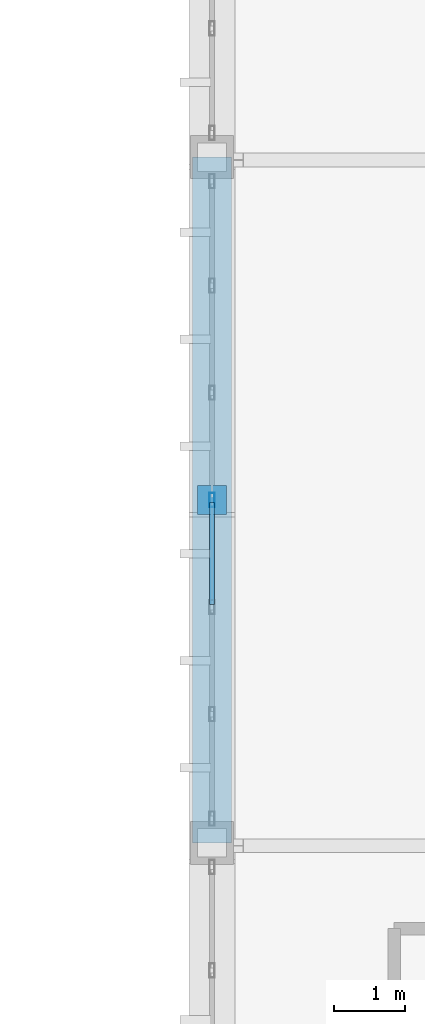
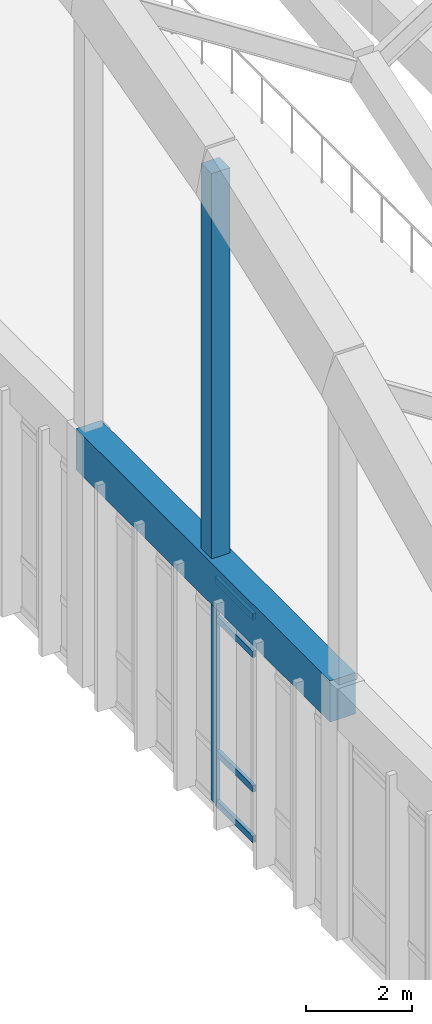
# One storey, part 34 of 236: 6 members, 1 beam, 1 element without a shape of its own.
"""IFC4 building model written with IfcOpenShell, lengths in metres."""

from ifc_helpers import new_model, si_unit, direction, frame, origin, origin_2d, place, context, subcontext, project, spatial, rectangle, hollow_rectangle, extrude, material, layer, layer_set, material_profile, profile_set, type_object, element, aggregate, save


model = new_model("IFC4")

# Units and contexts
model_context = context("Model", 3, precision=1e-05, world=origin(), true_north=direction((0.0, 1.0)))
body_context = subcontext(model_context, "Body", "Model", "MODEL_VIEW")
ifc_project = project(units=[si_unit("LENGTHUNIT", "METRE"), si_unit("AREAUNIT", "SQUARE_METRE"), si_unit("VOLUMEUNIT", "CUBIC_METRE"), si_unit("PLANEANGLEUNIT", "RADIAN"), si_unit("MASSUNIT", "GRAM", prefix="KILO")], contexts=[model_context])

# Site, building, storey
site_placement = place(None, origin())
site = spatial("IfcSite", under=ifc_project, at=site_placement, CompositionType="ELEMENT")
building_placement = place(site_placement, origin())
building = spatial("IfcBuilding", under=site, at=building_placement, Name="Pandanus Reach Market Hall", CompositionType="ELEMENT")
storey_placement = place(building_placement, frame((0.0, 0.0, 5.39990234375)))
storey = spatial("IfcBuildingStorey", under=building, at=storey_placement, Name="L01", CompositionType="ELEMENT", Elevation=5.39990234375)

# Member
ifc_material_1 = material(Name="Concrete N50 (50 MPa)", Category="concrete")
ifc_material_profile_1 = material_profile(ifc_material_1, rectangle(XDim=0.39990234375, YDim=0.39990234375, at=origin_2d()), Name="RC400x400", Category="LoadBearing")
ifc_profile_set_1 = profile_set([ifc_material_profile_1], Name="Concrete N50 (50 MPa)")
member_type_1 = type_object("IfcMemberType", Name="AR-WEB400-E", PredefinedType="STRUT", material=ifc_profile_set_1)
member_1_placement = place(storey_placement, frame((48.0, 43.199951171875, 5.3251953125), z_axis=(0.0, 0.0, 1.0), x_axis=(1.0, 0.0, 0.0)))
element("IfcMember", 1, at=member_1_placement, inside=storey, type_object=member_type_1, Name="Arch truss vertical web strut A1.3", PredefinedType="STRUT", context=body_context, shape_type="SweptSolid", body=[
    extrude(rectangle(XDim=0.39990234375, YDim=0.39990234375, at=origin_2d()), origin(), (0.0, 0.0, 1.0), 9.35498046875),
])

# Beam
ifc_material_profile_2 = material_profile(ifc_material_1, rectangle(XDim=0.550048828125, YDim=0.949951171875, at=origin_2d()), Name="RC550x950", Category="LoadBearing")
ifc_profile_set_2 = profile_set([ifc_material_profile_2], Name="Concrete N50 (50 MPa)")
beam_type = type_object("IfcBeamType", Name="BM-RC550-E", PredefinedType="BEAM", material=ifc_profile_set_2)
beam_placement = place(storey_placement, frame((48.0, 38.39990234375, 5.3251953125), z_axis=(0.0, 1.0, 0.0), x_axis=(-1.0, 0.0, 0.0)))
element("IfcBeam", 2, at=beam_placement, inside=storey, type_object=beam_type, Name="Parabolic arch tie girder A1.2", PredefinedType="BEAM", context=body_context, shape_type="SweptSolid", body=[
    extrude(rectangle(XDim=0.550048828125, YDim=0.949951171875, at=origin_2d()), origin(), (0.0, 0.0, 1.0), 9.60009765625),
])

# Curtain wall, members
ifc_material_2 = material(Name="Bronze anodised aluminium and low-E glass", Category="aluminium")
ifc_layer = layer(ifc_material_2, 0.199951171875, Name="CW-05")
ifc_layer_set = layer_set([ifc_layer], Name="Bronze anodised aluminium and low-E glass")
curtain_wall_type = type_object("IfcCurtainWallType", Name="CW-05", PredefinedType="NOTDEFINED", material=ifc_layer_set)
curtain_wall_placement = place(storey_placement, origin())
curtain_wall = element("IfcCurtainWall", 3, at=curtain_wall_placement, inside=storey, type_object=curtain_wall_type, Name="Glazed curtain wall CW-05 CW-0022", PredefinedType="NOTDEFINED")
ifc_material_3 = material(Name="Bronze anodised aluminium", Category="aluminium")
ifc_material_profile_3 = material_profile(ifc_material_3, hollow_rectangle(XDim=0.074951171875, YDim=0.199951171875, WallThickness=0.00439453125, at=origin_2d()), Name="ALU75x200", Category="LoadBearing")
ifc_profile_set_3 = profile_set([ifc_material_profile_3], Name="Bronze anodised aluminium")
member_type_2 = type_object("IfcMemberType", Name="CW-M2", PredefinedType="MULLION", material=ifc_profile_set_3)
member_2_placement = place(storey_placement, frame((48.0, 43.199951171875, 0.0), z_axis=(0.0, 0.0, 1.0), x_axis=(-1.0, 0.0, 0.0)))
member_2 = element("IfcMember", 4, at=member_2_placement, type_object=member_type_2, Name="CW-05 mullion 4", PredefinedType="MULLION", context=body_context, shape_type="SweptSolid", body=[
    extrude(hollow_rectangle(XDim=0.074951171875, YDim=0.199951171875, WallThickness=0.00439453125, at=origin_2d()), origin(), (0.0, 0.0, 1.0), 5.2001953125),
])
ifc_material_profile_4 = material_profile(ifc_material_3, hollow_rectangle(XDim=0.074951171875, YDim=0.14990234375, WallThickness=0.00439453125, at=origin_2d()), Name="ALU75x150", Category="LoadBearing")
ifc_profile_set_4 = profile_set([ifc_material_profile_4], Name="Bronze anodised aluminium")
member_type_3 = type_object("IfcMemberType", Name="CW-T2", PredefinedType="USERDEFINED", material=ifc_profile_set_4)
member_3_placement = place(storey_placement, frame((48.0, 41.737548828125, 0.03759765625), z_axis=(0.0, 1.0, 0.0), x_axis=(-1.0, 0.0, 0.0)))
member_3 = element("IfcMember", 5, at=member_3_placement, type_object=member_type_3, Name="CW-05 transom 3.1", ObjectType="TRANSOM", PredefinedType="USERDEFINED", context=body_context, shape_type="SweptSolid", body=[
    extrude(hollow_rectangle(XDim=0.074951171875, YDim=0.14990234375, WallThickness=0.00439453125, at=origin_2d()), origin(), (0.0, 0.0, 1.0), 1.425048828125),
])
member_4_placement = place(storey_placement, frame((48.0, 41.737548828125, 1.2001953125), z_axis=(0.0, 1.0, 0.0), x_axis=(-1.0, 0.0, 0.0)))
member_4 = element("IfcMember", 6, at=member_4_placement, type_object=member_type_3, Name="CW-05 transom 3.2", ObjectType="TRANSOM", PredefinedType="USERDEFINED", context=body_context, shape_type="SweptSolid", body=[
    extrude(hollow_rectangle(XDim=0.074951171875, YDim=0.14990234375, WallThickness=0.00439453125, at=origin_2d()), origin(), (0.0, 0.0, 1.0), 1.425048828125),
])
member_5_placement = place(storey_placement, frame((48.0, 41.737548828125, 4.300048828125), z_axis=(0.0, 1.0, 0.0), x_axis=(-1.0, 0.0, 0.0)))
member_5 = element("IfcMember", 7, at=member_5_placement, type_object=member_type_3, Name="CW-05 transom 3.3", ObjectType="TRANSOM", PredefinedType="USERDEFINED", context=body_context, shape_type="SweptSolid", body=[
    extrude(hollow_rectangle(XDim=0.074951171875, YDim=0.14990234375, WallThickness=0.00439453125, at=origin_2d()), origin(), (0.0, 0.0, 1.0), 1.425048828125),
])
member_6_placement = place(storey_placement, frame((48.0, 41.737548828125, 5.16259765625), z_axis=(0.0, 1.0, 0.0), x_axis=(-1.0, 0.0, 0.0)))
member_6 = element("IfcMember", 8, at=member_6_placement, type_object=member_type_3, Name="CW-05 transom 3.4", ObjectType="TRANSOM", PredefinedType="USERDEFINED", context=body_context, shape_type="SweptSolid", body=[
    extrude(hollow_rectangle(XDim=0.074951171875, YDim=0.14990234375, WallThickness=0.00439453125, at=origin_2d()), origin(), (0.0, 0.0, 1.0), 1.425048828125),
])
aggregate(curtain_wall, [member_2, member_3, member_4, member_5, member_6])

save(model, "model.ifc")
